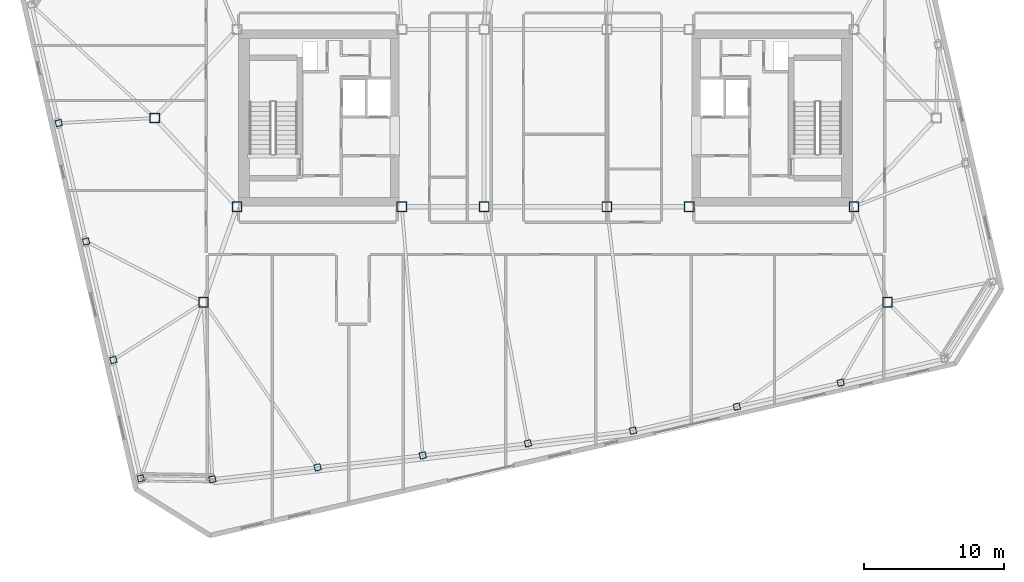
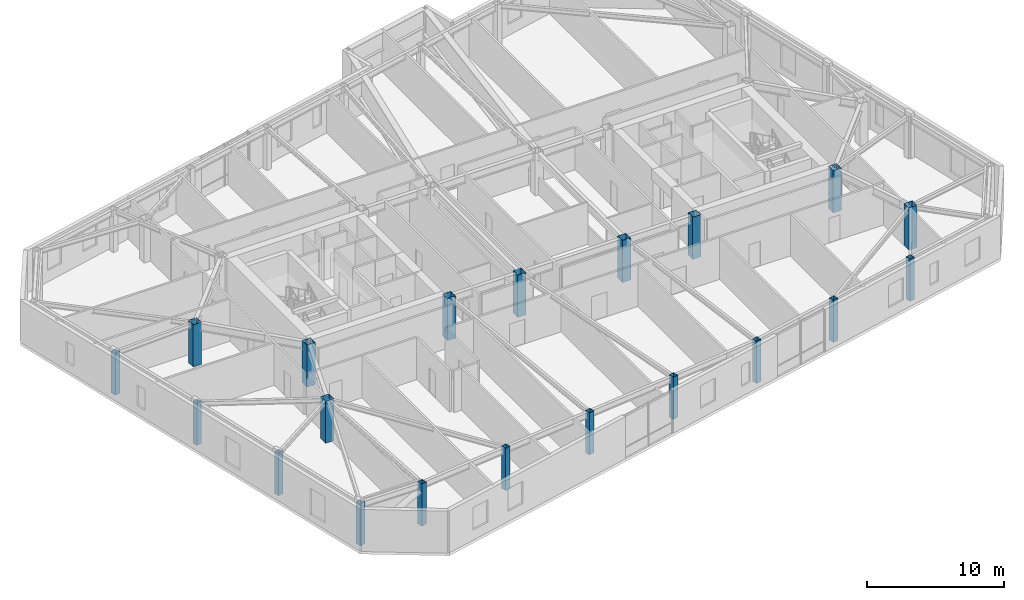
# One storey, part 1 of 22: 20 columns.
"""IFC4 building model written with IfcOpenShell, lengths in metres."""

from ifc_helpers import new_model, si_unit, direction, frame, origin, origin_2d, place, context, subcontext, project, spatial, hollow_rectangle, extrude, material, material_profile, profile_set, type_object, element, save


model = new_model("IFC4")

# Units and contexts
model_context = context("Model", 3, precision=1e-05, world=origin(), true_north=direction((0.0, 1.0)))
body_context = subcontext(model_context, "Body", "Model", "MODEL_VIEW")
ifc_project = project(units=[si_unit("LENGTHUNIT", "METRE"), si_unit("AREAUNIT", "SQUARE_METRE"), si_unit("VOLUMEUNIT", "CUBIC_METRE"), si_unit("PLANEANGLEUNIT", "RADIAN"), si_unit("MASSUNIT", "GRAM", prefix="KILO")], contexts=[model_context])

# Site, building, storey
site_placement = place(None, origin())
site = spatial("IfcSite", under=ifc_project, at=site_placement, CompositionType="ELEMENT")
building_placement = place(site_placement, origin())
building = spatial("IfcBuilding", under=site, at=building_placement, Name="Tavrogorsk Clinical Tower", CompositionType="ELEMENT")
storey_placement = place(building_placement, frame((0.0, 0.0, 313.0)))
storey = spatial("IfcBuildingStorey", under=building, at=storey_placement, Name="L73", CompositionType="ELEMENT", Elevation=313.0)

# Columns
ifc_material_1 = material(Name="Structural steel S440", Category="steel")
ifc_material_profile_1 = material_profile(ifc_material_1, hollow_rectangle(XDim=0.699951171875, YDim=0.699951171875, WallThickness=0.031982421875, at=origin_2d()), Name="BOX-700x700x32")
ifc_profile_set_1 = profile_set([ifc_material_profile_1], Name="Structural steel S440")
column_type_1 = type_object("IfcColumnType", Name="MegaCol_BOX700", PredefinedType="COLUMN", material=ifc_profile_set_1)
for number, where, z_axis, x_axis, name in (
    (1, (-22.10009765625, -6.35009765625, 0.0), (0.0, 0.0, 1.0), (1.0, 0.0, 0.0), "L73 Mega Column MC-W1"),
    (2, (-10.300048828125, -6.35009765625, 0.0), (0.0, 0.0, 1.0), (1.0, 0.0, 0.0), "L73 Mega Column MC-W3"),
    (3, (10.300048828125, -6.35009765625, 0.0), (0.0, 0.0, 1.0), (1.0, 0.0, 0.0), "L73 Mega Column MC-E1"),
    (4, (22.10009765625, -6.35009765625, 0.0), (0.0, 0.0, 1.0), (1.0, 0.0, 0.0), "L73 Mega Column MC-E3"),
    (5, (-4.39990234375, -6.35009765625, 0.0), (0.0, 0.0, 1.0), (1.0, 0.0, 0.0), "L73 Mega Column MC-C1"),
    (6, (4.39990234375, -6.35009765625, 0.0), (0.0, 0.0, 1.0), (1.0, 0.0, 0.0), "L73 Mega Column MC-C2"),
    (7, (-24.5, -13.199951171875, 0.0), (0.0, 0.0, 1.0), (1.0, 0.0, 0.0), "L73 Spine Pilotis Column MC-P1"),
    (8, (24.5, -13.199951171875, 0.0), (0.0, 0.0, 1.0), (1.0, 0.0, 0.0), "L73 Spine Pilotis Column MC-P2"),
    (9, (-28.0, 0.0, 0.0), (0.0, 0.0, 1.0), (1.0, 0.0, 0.0), "L73 Spine Pilotis Column MC-P5"),
):
    element("IfcColumn", number, at=place(storey_placement, frame(where, z_axis=z_axis, x_axis=x_axis)), inside=storey, type_object=column_type_1, Name=name, PredefinedType="COLUMN", context=body_context, shape_type="SweptSolid", body=[
        extrude(hollow_rectangle(XDim=0.699951171875, YDim=0.699951171875, WallThickness=0.031982421875, at=origin_2d()), origin(), (0.0, 0.0, 1.0), 3.739990234375),
    ])
ifc_material_2 = material(Name="Structural steel S440", Category="steel")
ifc_material_profile_2 = material_profile(ifc_material_2, hollow_rectangle(XDim=0.449951171875, YDim=0.449951171875, WallThickness=0.02197265625, at=origin_2d()), Name="BOX-450x450x22")
ifc_profile_set_2 = profile_set([ifc_material_profile_2], Name="Structural steel S440")
column_type_2 = type_object("IfcColumnType", Name="PerimCol_B5_BOX450", PredefinedType="COLUMN", material=ifc_profile_set_2)
for number, where, z_axis, x_axis, name in (
    (10, (-23.866943359375, -25.8857421875, 0.0), (0.0, 0.0, 1.0), (0.974370064785, 0.224951054344, 0.0), "L73 Perimeter Column S1"),
    (11, (-16.330322265625, -25.027099609375, 0.0), (0.0, 0.0, 1.0), (0.974370064785, 0.224951054344, 0.0), "L73 Perimeter Column S2"),
    (12, (-8.7939453125, -24.16845703125, 0.0), (0.0, 0.0, 1.0), (0.974370064785, 0.224951054344, 0.0), "L73 Perimeter Column S3"),
    (13, (-1.257568359375, -23.309814453125, 0.0), (0.0, 0.0, 1.0), (0.974370064785, 0.224951054344, 0.0), "L73 Perimeter Column S4"),
    (14, (6.272705078125, -22.39697265625, 0.0), (0.0, 0.0, 1.0), (0.974370064785, 0.224951054344, 0.0), "L73 Perimeter Column S5"),
    (15, (13.711181640625, -20.6796875, 0.0), (0.0, 0.0, 1.0), (0.974370064785, 0.224951054344, 0.0), "L73 Perimeter Column S6"),
    (16, (21.14990234375, -18.96240234375, 0.0), (0.0, 0.0, 1.0), (0.974370064785, 0.224951054344, 0.0), "L73 Perimeter Column S7"),
    (17, (-34.876708984375, -0.358642578125, 0.0), (0.0, 0.0, 1.0), (0.974370064785, 0.224951054344, 0.0), "L73 Perimeter Column W2"),
    (18, (-32.917236328125, -8.845458984375, 0.0), (0.0, 0.0, 1.0), (0.974370064785, 0.224951054344, 0.0), "L73 Perimeter Column W3"),
    (19, (-30.9580078125, -17.332275390625, 0.0), (0.0, 0.0, 1.0), (0.974370064785, 0.224951054344, 0.0), "L73 Perimeter Column W4"),
    (20, (-28.99853515625, -25.819091796875, 0.0), (0.0, 0.0, 1.0), (0.974370064785, 0.224951054344, 0.0), "L73 Perimeter Column W5"),
):
    element("IfcColumn", number, at=place(storey_placement, frame(where, z_axis=z_axis, x_axis=x_axis)), inside=storey, type_object=column_type_2, Name=name, PredefinedType="COLUMN", context=body_context, shape_type="SweptSolid", body=[
        extrude(hollow_rectangle(XDim=0.449951171875, YDim=0.449951171875, WallThickness=0.02197265625, at=origin_2d()), origin(), (0.0, 0.0, 1.0), 3.739990234375),
    ])

save(model, "model.ifc")
